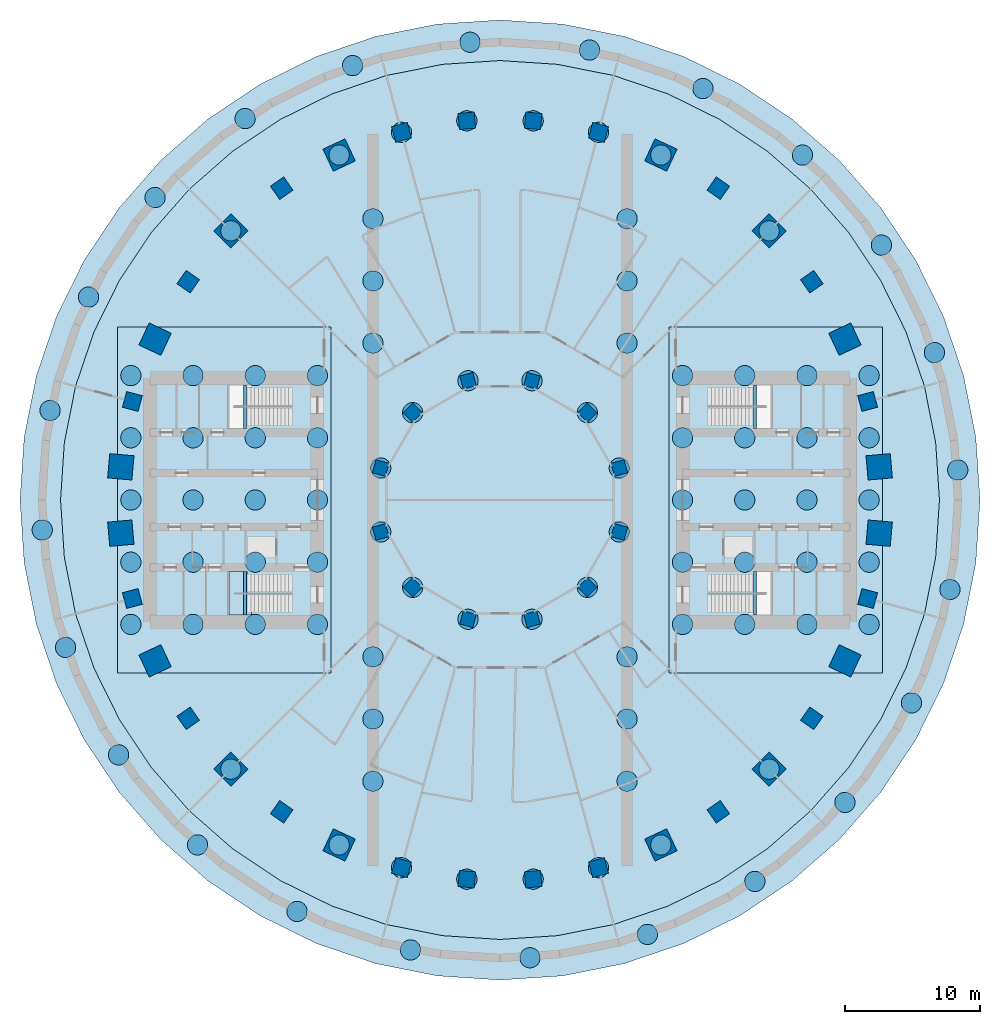
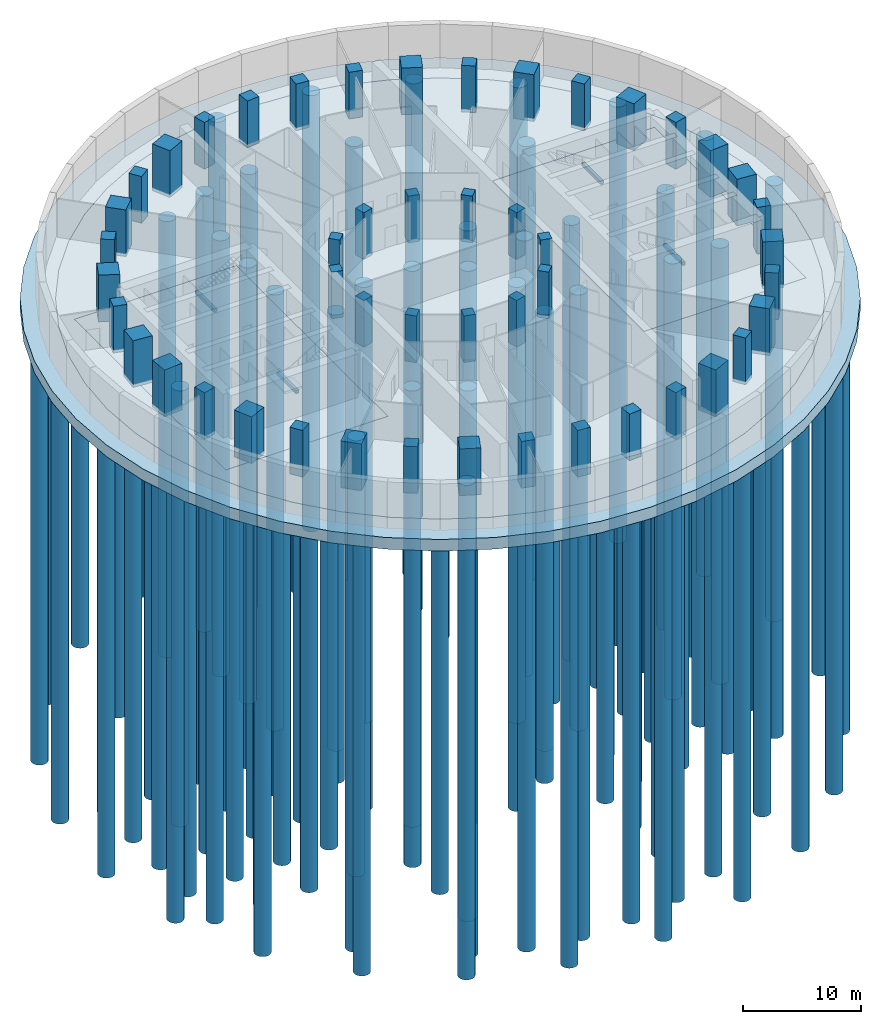
# One storey, part 1 of 10: 104 piles, 48 columns, 4 beams, 4 footings, 1 slab, 1 element without a shape of its own.
"""IFC4 building model written with IfcOpenShell, lengths in metres."""

from ifc_helpers import new_model, si_unit, direction, frame, origin, origin_2d, place, context, subcontext, project, spatial, polyline, rectangle, circle, outline, extrude, material, layer, layer_set, material_profile, profile_set, type_object, element, aggregate, save


model = new_model("IFC4")

# Units and contexts
model_context = context("Model", 3, precision=1e-05, world=origin(), true_north=direction((0.0, 1.0)))
body_context = subcontext(model_context, "Body", "Model", "MODEL_VIEW")
ifc_project = project(units=[si_unit("LENGTHUNIT", "METRE"), si_unit("AREAUNIT", "SQUARE_METRE"), si_unit("VOLUMEUNIT", "CUBIC_METRE"), si_unit("PLANEANGLEUNIT", "RADIAN"), si_unit("MASSUNIT", "GRAM", prefix="KILO")], contexts=[model_context])

# Site, building, storey
site_placement = place(None, origin())
site = spatial("IfcSite", under=ifc_project, at=site_placement, CompositionType="ELEMENT")
building_placement = place(site_placement, origin())
building = spatial("IfcBuilding", under=site, at=building_placement, Name="Saqina Gate Tower", CompositionType="ELEMENT")
storey_placement = place(building_placement, frame((0.0, 0.0, -9.0)))
storey = spatial("IfcBuildingStorey", under=building, at=storey_placement, Name="B2", CompositionType="ELEMENT", Elevation=-9.0)

# Piles
ifc_material_1 = material(Name="Concrete C40/50", Category="concrete")
ifc_material_profile_1 = material_profile(ifc_material_1, circle(Radius=0.75, at=origin_2d()), Name="RC D1500")
ifc_profile_set_1 = profile_set([ifc_material_profile_1], Name="Concrete C40/50")
pile_type = type_object("IfcPileType", Name="STR-BORED PILE-D1500", PredefinedType="BORED", material=ifc_profile_set_1)
for number, where, z_axis, x_axis, name in (
    (1, (13.5, -9.199951171875, -4.14990234375), (0.0, 0.0, -1.0), (1.0, 0.0, 0.0), "BORED PILE 001"),
    (2, (13.5, -4.60009765625, -4.14990234375), (0.0, 0.0, -1.0), (1.0, 0.0, 0.0), "BORED PILE 002"),
    (3, (13.5, 0.0, -4.14990234375), (0.0, 0.0, -1.0), (1.0, 0.0, 0.0), "BORED PILE 003"),
    (4, (13.5, 4.60009765625, -4.14990234375), (0.0, 0.0, -1.0), (1.0, 0.0, 0.0), "BORED PILE 004"),
    (5, (13.5, 9.199951171875, -4.14990234375), (0.0, 0.0, -1.0), (1.0, 0.0, 0.0), "BORED PILE 005"),
    (6, (18.10009765625, -9.199951171875, -4.14990234375), (0.0, 0.0, -1.0), (1.0, 0.0, 0.0), "BORED PILE 006"),
    (7, (18.10009765625, -4.60009765625, -4.14990234375), (0.0, 0.0, -1.0), (1.0, 0.0, 0.0), "BORED PILE 007"),
    (8, (18.10009765625, 0.0, -4.14990234375), (0.0, 0.0, -1.0), (1.0, 0.0, 0.0), "BORED PILE 008"),
    (9, (18.10009765625, 4.60009765625, -4.14990234375), (0.0, 0.0, -1.0), (1.0, 0.0, 0.0), "BORED PILE 009"),
    (10, (18.10009765625, 9.199951171875, -4.14990234375), (0.0, 0.0, -1.0), (1.0, 0.0, 0.0), "BORED PILE 010"),
    (11, (22.699951171875, -9.199951171875, -4.14990234375), (0.0, 0.0, -1.0), (1.0, 0.0, 0.0), "BORED PILE 011"),
    (12, (22.699951171875, -4.60009765625, -4.14990234375), (0.0, 0.0, -1.0), (1.0, 0.0, 0.0), "BORED PILE 012"),
    (13, (22.699951171875, 0.0, -4.14990234375), (0.0, 0.0, -1.0), (1.0, 0.0, 0.0), "BORED PILE 013"),
    (14, (22.699951171875, 4.60009765625, -4.14990234375), (0.0, 0.0, -1.0), (1.0, 0.0, 0.0), "BORED PILE 014"),
    (15, (22.699951171875, 9.199951171875, -4.14990234375), (0.0, 0.0, -1.0), (1.0, 0.0, 0.0), "BORED PILE 015"),
    (16, (27.300048828125, -9.199951171875, -4.14990234375), (0.0, 0.0, -1.0), (1.0, 0.0, 0.0), "BORED PILE 016"),
    (17, (27.300048828125, -4.60009765625, -4.14990234375), (0.0, 0.0, -1.0), (1.0, 0.0, 0.0), "BORED PILE 017"),
    (18, (27.300048828125, 0.0, -4.14990234375), (0.0, 0.0, -1.0), (1.0, 0.0, 0.0), "BORED PILE 018"),
    (19, (27.300048828125, 4.60009765625, -4.14990234375), (0.0, 0.0, -1.0), (1.0, 0.0, 0.0), "BORED PILE 019"),
    (20, (27.300048828125, 9.199951171875, -4.14990234375), (0.0, 0.0, -1.0), (1.0, 0.0, 0.0), "BORED PILE 020"),
    (21, (-13.5, -9.199951171875, -4.14990234375), (0.0, 0.0, -1.0), (1.0, 0.0, 0.0), "BORED PILE 021"),
    (22, (-13.5, -4.60009765625, -4.14990234375), (0.0, 0.0, -1.0), (1.0, 0.0, 0.0), "BORED PILE 022"),
    (23, (-13.5, 0.0, -4.14990234375), (0.0, 0.0, -1.0), (1.0, 0.0, 0.0), "BORED PILE 023"),
    (24, (-13.5, 4.60009765625, -4.14990234375), (0.0, 0.0, -1.0), (1.0, 0.0, 0.0), "BORED PILE 024"),
    (25, (-13.5, 9.199951171875, -4.14990234375), (0.0, 0.0, -1.0), (1.0, 0.0, 0.0), "BORED PILE 025"),
    (26, (-18.10009765625, -9.199951171875, -4.14990234375), (0.0, 0.0, -1.0), (1.0, 0.0, 0.0), "BORED PILE 026"),
    (27, (-18.10009765625, -4.60009765625, -4.14990234375), (0.0, 0.0, -1.0), (1.0, 0.0, 0.0), "BORED PILE 027"),
    (28, (-18.10009765625, 0.0, -4.14990234375), (0.0, 0.0, -1.0), (1.0, 0.0, 0.0), "BORED PILE 028"),
    (29, (-18.10009765625, 4.60009765625, -4.14990234375), (0.0, 0.0, -1.0), (1.0, 0.0, 0.0), "BORED PILE 029"),
    (30, (-18.10009765625, 9.199951171875, -4.14990234375), (0.0, 0.0, -1.0), (1.0, 0.0, 0.0), "BORED PILE 030"),
    (31, (-22.699951171875, -9.199951171875, -4.14990234375), (0.0, 0.0, -1.0), (1.0, 0.0, 0.0), "BORED PILE 031"),
    (32, (-22.699951171875, -4.60009765625, -4.14990234375), (0.0, 0.0, -1.0), (1.0, 0.0, 0.0), "BORED PILE 032"),
    (33, (-22.699951171875, 0.0, -4.14990234375), (0.0, 0.0, -1.0), (1.0, 0.0, 0.0), "BORED PILE 033"),
    (34, (-22.699951171875, 4.60009765625, -4.14990234375), (0.0, 0.0, -1.0), (1.0, 0.0, 0.0), "BORED PILE 034"),
    (35, (-22.699951171875, 9.199951171875, -4.14990234375), (0.0, 0.0, -1.0), (1.0, 0.0, 0.0), "BORED PILE 035"),
    (36, (-27.300048828125, -9.199951171875, -4.14990234375), (0.0, 0.0, -1.0), (1.0, 0.0, 0.0), "BORED PILE 036"),
    (37, (-27.300048828125, -4.60009765625, -4.14990234375), (0.0, 0.0, -1.0), (1.0, 0.0, 0.0), "BORED PILE 037"),
    (38, (-27.300048828125, 0.0, -4.14990234375), (0.0, 0.0, -1.0), (1.0, 0.0, 0.0), "BORED PILE 038"),
    (39, (-27.300048828125, 4.60009765625, -4.14990234375), (0.0, 0.0, -1.0), (1.0, 0.0, 0.0), "BORED PILE 039"),
    (40, (-27.300048828125, 9.199951171875, -4.14990234375), (0.0, 0.0, -1.0), (1.0, 0.0, 0.0), "BORED PILE 040"),
    (41, (19.905029296875, 19.905029296875, -3.14990234375), (0.0, 0.0, -1.0), (1.0, 0.0, 0.0), "BORED PILE 041"),
    (42, (11.896728515625, 25.512451171875, -3.14990234375), (0.0, 0.0, -1.0), (1.0, 0.0, 0.0), "BORED PILE 042"),
    (43, (7.28564453125, 27.19091796875, -3.14990234375), (0.0, 0.0, -1.0), (1.0, 0.0, 0.0), "BORED PILE 043"),
    (44, (2.453369140625, 28.04296875, -3.14990234375), (0.0, 0.0, -1.0), (1.0, 0.0, 0.0), "BORED PILE 044"),
    (45, (-2.453369140625, 28.04296875, -3.14990234375), (0.0, 0.0, -1.0), (1.0, 0.0, 0.0), "BORED PILE 045"),
    (46, (-7.28564453125, 27.19091796875, -3.14990234375), (0.0, 0.0, -1.0), (1.0, 0.0, 0.0), "BORED PILE 046"),
    (47, (-11.896728515625, 25.512451171875, -3.14990234375), (0.0, 0.0, -1.0), (1.0, 0.0, 0.0), "BORED PILE 047"),
    (48, (-19.905029296875, 19.905029296875, -3.14990234375), (0.0, 0.0, -1.0), (1.0, 0.0, 0.0), "BORED PILE 048"),
    (49, (-19.905029296875, -19.905029296875, -3.14990234375), (0.0, 0.0, -1.0), (1.0, 0.0, 0.0), "BORED PILE 049"),
    (50, (-11.896728515625, -25.512451171875, -3.14990234375), (0.0, 0.0, -1.0), (1.0, 0.0, 0.0), "BORED PILE 050"),
    (51, (-7.28564453125, -27.19091796875, -3.14990234375), (0.0, 0.0, -1.0), (1.0, 0.0, 0.0), "BORED PILE 051"),
    (52, (-2.453369140625, -28.04296875, -3.14990234375), (0.0, 0.0, -1.0), (1.0, 0.0, 0.0), "BORED PILE 052"),
    (53, (2.453369140625, -28.04296875, -3.14990234375), (0.0, 0.0, -1.0), (1.0, 0.0, 0.0), "BORED PILE 053"),
    (54, (7.28564453125, -27.19091796875, -3.14990234375), (0.0, 0.0, -1.0), (1.0, 0.0, 0.0), "BORED PILE 054"),
    (55, (11.896728515625, -25.512451171875, -3.14990234375), (0.0, 0.0, -1.0), (1.0, 0.0, 0.0), "BORED PILE 055"),
    (56, (19.905029296875, -19.905029296875, -3.14990234375), (0.0, 0.0, -1.0), (1.0, 0.0, 0.0), "BORED PILE 056"),
    (57, (8.821044921875, 2.363525390625, -3.14990234375), (0.0, 0.0, -1.0), (1.0, 0.0, 0.0), "BORED PILE 057"),
    (58, (6.45751953125, 6.45751953125, -3.14990234375), (0.0, 0.0, -1.0), (1.0, 0.0, 0.0), "BORED PILE 058"),
    (59, (2.363525390625, 8.821044921875, -3.14990234375), (0.0, 0.0, -1.0), (1.0, 0.0, 0.0), "BORED PILE 059"),
    (60, (-2.363525390625, 8.821044921875, -3.14990234375), (0.0, 0.0, -1.0), (1.0, 0.0, 0.0), "BORED PILE 060"),
    (61, (-6.45751953125, 6.45751953125, -3.14990234375), (0.0, 0.0, -1.0), (1.0, 0.0, 0.0), "BORED PILE 061"),
    (62, (-8.821044921875, 2.363525390625, -3.14990234375), (0.0, 0.0, -1.0), (1.0, 0.0, 0.0), "BORED PILE 062"),
    (63, (-8.821044921875, -2.363525390625, -3.14990234375), (0.0, 0.0, -1.0), (1.0, 0.0, 0.0), "BORED PILE 063"),
    (64, (-6.45751953125, -6.45751953125, -3.14990234375), (0.0, 0.0, -1.0), (1.0, 0.0, 0.0), "BORED PILE 064"),
    (65, (-2.363525390625, -8.821044921875, -3.14990234375), (0.0, 0.0, -1.0), (1.0, 0.0, 0.0), "BORED PILE 065"),
    (66, (2.363525390625, -8.821044921875, -3.14990234375), (0.0, 0.0, -1.0), (1.0, 0.0, 0.0), "BORED PILE 066"),
    (67, (6.45751953125, -6.45751953125, -3.14990234375), (0.0, 0.0, -1.0), (1.0, 0.0, 0.0), "BORED PILE 067"),
    (68, (8.821044921875, -2.363525390625, -3.14990234375), (0.0, 0.0, -1.0), (1.0, 0.0, 0.0), "BORED PILE 068"),
    (69, (9.39990234375, 11.60009765625, -3.14990234375), (0.0, 0.0, -1.0), (1.0, 0.0, 0.0), "BORED PILE 069"),
    (70, (9.39990234375, -11.60009765625, -3.14990234375), (0.0, 0.0, -1.0), (1.0, 0.0, 0.0), "BORED PILE 070"),
    (71, (9.39990234375, 16.199951171875, -3.14990234375), (0.0, 0.0, -1.0), (1.0, 0.0, 0.0), "BORED PILE 071"),
    (72, (9.39990234375, -16.199951171875, -3.14990234375), (0.0, 0.0, -1.0), (1.0, 0.0, 0.0), "BORED PILE 072"),
    (73, (9.39990234375, 20.800048828125, -3.14990234375), (0.0, 0.0, -1.0), (1.0, 0.0, 0.0), "BORED PILE 073"),
    (74, (9.39990234375, -20.800048828125, -3.14990234375), (0.0, 0.0, -1.0), (1.0, 0.0, 0.0), "BORED PILE 074"),
    (75, (-9.39990234375, 11.60009765625, -3.14990234375), (0.0, 0.0, -1.0), (1.0, 0.0, 0.0), "BORED PILE 075"),
    (76, (-9.39990234375, -11.60009765625, -3.14990234375), (0.0, 0.0, -1.0), (1.0, 0.0, 0.0), "BORED PILE 076"),
    (77, (-9.39990234375, 16.199951171875, -3.14990234375), (0.0, 0.0, -1.0), (1.0, 0.0, 0.0), "BORED PILE 077"),
    (78, (-9.39990234375, -16.199951171875, -3.14990234375), (0.0, 0.0, -1.0), (1.0, 0.0, 0.0), "BORED PILE 078"),
    (79, (-9.39990234375, 20.800048828125, -3.14990234375), (0.0, 0.0, -1.0), (1.0, 0.0, 0.0), "BORED PILE 079"),
    (80, (-9.39990234375, -20.800048828125, -3.14990234375), (0.0, 0.0, -1.0), (1.0, 0.0, 0.0), "BORED PILE 080"),
    (81, (33.8544921875, 2.218994140625, -1.35009765625), (0.0, 0.0, -1.0), (1.0, 0.0, 0.0), "BORED PILE 081"),
    (82, (32.126708984375, 10.905517578125, -1.35009765625), (0.0, 0.0, -1.0), (1.0, 0.0, 0.0), "BORED PILE 082"),
    (83, (28.20947265625, 18.848876953125, -1.35009765625), (0.0, 0.0, -1.0), (1.0, 0.0, 0.0), "BORED PILE 083"),
    (84, (22.369873046875, 25.5078125, -1.35009765625), (0.0, 0.0, -1.0), (1.0, 0.0, 0.0), "BORED PILE 084"),
    (85, (15.005615234375, 30.428466796875, -1.35009765625), (0.0, 0.0, -1.0), (1.0, 0.0, 0.0), "BORED PILE 085"),
    (86, (6.618896484375, 33.275390625, -1.35009765625), (0.0, 0.0, -1.0), (1.0, 0.0, 0.0), "BORED PILE 086"),
    (87, (-2.218994140625, 33.8544921875, -1.35009765625), (0.0, 0.0, -1.0), (1.0, 0.0, 0.0), "BORED PILE 087"),
    (88, (-10.905517578125, 32.126708984375, -1.35009765625), (0.0, 0.0, -1.0), (1.0, 0.0, 0.0), "BORED PILE 088"),
    (89, (-18.848876953125, 28.20947265625, -1.35009765625), (0.0, 0.0, -1.0), (1.0, 0.0, 0.0), "BORED PILE 089"),
    (90, (-25.5078125, 22.369873046875, -1.35009765625), (0.0, 0.0, -1.0), (1.0, 0.0, 0.0), "BORED PILE 090"),
    (91, (-30.428466796875, 15.005615234375, -1.35009765625), (0.0, 0.0, -1.0), (1.0, 0.0, 0.0), "BORED PILE 091"),
    (92, (-33.275390625, 6.618896484375, -1.35009765625), (0.0, 0.0, -1.0), (1.0, 0.0, 0.0), "BORED PILE 092"),
    (93, (-33.8544921875, -2.218994140625, -1.35009765625), (0.0, 0.0, -1.0), (1.0, 0.0, 0.0), "BORED PILE 093"),
    (94, (-32.126708984375, -10.905517578125, -1.35009765625), (0.0, 0.0, -1.0), (1.0, 0.0, 0.0), "BORED PILE 094"),
    (95, (-28.20947265625, -18.848876953125, -1.35009765625), (0.0, 0.0, -1.0), (1.0, 0.0, 0.0), "BORED PILE 095"),
    (96, (-22.369873046875, -25.5078125, -1.35009765625), (0.0, 0.0, -1.0), (1.0, 0.0, 0.0), "BORED PILE 096"),
    (97, (-15.005615234375, -30.428466796875, -1.35009765625), (0.0, 0.0, -1.0), (1.0, 0.0, 0.0), "BORED PILE 097"),
    (98, (-6.618896484375, -33.275390625, -1.35009765625), (0.0, 0.0, -1.0), (1.0, 0.0, 0.0), "BORED PILE 098"),
    (99, (2.218994140625, -33.8544921875, -1.35009765625), (0.0, 0.0, -1.0), (1.0, 0.0, 0.0), "BORED PILE 099"),
    (100, (10.905517578125, -32.126708984375, -1.35009765625), (0.0, 0.0, -1.0), (1.0, 0.0, 0.0), "BORED PILE 100"),
    (101, (18.848876953125, -28.20947265625, -1.35009765625), (0.0, 0.0, -1.0), (1.0, 0.0, 0.0), "BORED PILE 101"),
    (102, (25.5078125, -22.369873046875, -1.35009765625), (0.0, 0.0, -1.0), (1.0, 0.0, 0.0), "BORED PILE 102"),
    (103, (30.428466796875, -15.005615234375, -1.35009765625), (0.0, 0.0, -1.0), (1.0, 0.0, 0.0), "BORED PILE 103"),
    (104, (33.275390625, -6.618896484375, -1.35009765625), (0.0, 0.0, -1.0), (1.0, 0.0, 0.0), "BORED PILE 104"),
):
    element("IfcPile", number, at=place(storey_placement, frame(where, z_axis=z_axis, x_axis=x_axis)), inside=storey, type_object=pile_type, Name=name, PredefinedType="BORED", context=body_context, shape_type="SweptSolid", body=[
        extrude(circle(Radius=0.75, at=origin_2d()), origin(), (0.0, 0.0, 1.0), 45.0),
    ])

# Footings
ifc_material_2 = material(Name="Concrete C40/50", Category="concrete")
ifc_layer_1 = layer(ifc_material_2, 3.0)
ifc_layer_set_1 = layer_set([ifc_layer_1], Name="Concrete C40/50")
footing_type_1 = type_object("IfcFootingType", Name="STR-RAFT-3000", PredefinedType="PAD_FOOTING", material=ifc_layer_set_1)
footing_1_placement = place(storey_placement, frame((0.0, 0.0, -3.300048828125)))
element("IfcFooting", 105, at=footing_1_placement, inside=storey, type_object=footing_type_1, Name="RAFT", PredefinedType="PAD_FOOTING", context=body_context, shape_type="SweptSolid", body=[
    extrude(outline(polyline([(32.221923828125, -4.2421875), (32.5, 0.0), (32.221923828125, 4.2421875), (31.392578125, 8.41162109375), (30.026123046875, 12.437255859375), (28.145751953125, 16.25), (25.783935546875, 19.78466796875), (22.98095703125, 22.98095703125), (19.78466796875, 25.783935546875), (16.25, 28.145751953125), (12.437255859375, 30.026123046875), (8.41162109375, 31.392578125), (4.2421875, 32.221923828125), (0.0, 32.5), (-4.2421875, 32.221923828125), (-8.41162109375, 31.392578125), (-12.437255859375, 30.026123046875), (-16.25, 28.145751953125), (-19.78466796875, 25.783935546875), (-22.98095703125, 22.98095703125), (-25.783935546875, 19.78466796875), (-28.145751953125, 16.25), (-30.026123046875, 12.437255859375), (-31.392578125, 8.41162109375), (-32.221923828125, 4.2421875), (-32.5, 0.0), (-32.221923828125, -4.2421875), (-31.392578125, -8.41162109375), (-30.026123046875, -12.437255859375), (-28.145751953125, -16.25), (-25.783935546875, -19.78466796875), (-22.98095703125, -22.98095703125), (-19.78466796875, -25.783935546875), (-16.25, -28.145751953125), (-12.437255859375, -30.026123046875), (-8.41162109375, -31.392578125), (-4.2421875, -32.221923828125), (0.0, -32.5), (4.2421875, -32.221923828125), (8.41162109375, -31.392578125), (12.437255859375, -30.026123046875), (16.25, -28.145751953125), (19.78466796875, -25.783935546875), (22.98095703125, -22.98095703125), (25.783935546875, -19.78466796875), (28.145751953125, -16.25), (30.026123046875, -12.437255859375), (31.392578125, -8.41162109375), (32.221923828125, -4.2421875)]), holes=[polyline([(-12.5, -12.800048828125), (-28.300048828125, -12.800048828125), (-28.300048828125, 12.800048828125), (-12.5, 12.800048828125), (-12.5, -12.800048828125)]), polyline([(28.300048828125, -12.800048828125), (12.5, -12.800048828125), (12.5, 12.800048828125), (28.300048828125, 12.800048828125), (28.300048828125, -12.800048828125)])]), origin(), (0.0, 0.0, 1.0), 3.0),
])
ifc_material_3 = material(Name="Concrete C40/50", Category="concrete")
ifc_layer_2 = layer(ifc_material_3, 4.0)
ifc_layer_set_2 = layer_set([ifc_layer_2], Name="Concrete C40/50")
footing_type_2 = type_object("IfcFootingType", Name="STR-RAFT-CORE-4000", PredefinedType="PAD_FOOTING", material=ifc_layer_set_2)
footing_2_placement = place(storey_placement, frame((0.0, 0.0, -4.300048828125)))
element("IfcFooting", 106, at=footing_2_placement, inside=storey, type_object=footing_type_2, Name="RAFT UNDER CORE E", PredefinedType="PAD_FOOTING", context=body_context, shape_type="SweptSolid", body=[
    extrude(outline(polyline([(28.300048828125, -12.800048828125), (28.300048828125, 12.800048828125), (12.5, 12.800048828125), (12.5, -12.800048828125), (28.300048828125, -12.800048828125)])), origin(), (0.0, 0.0, 1.0), 4.0),
])
footing_3_placement = place(storey_placement, frame((0.0, 0.0, -4.300048828125)))
element("IfcFooting", 107, at=footing_3_placement, inside=storey, type_object=footing_type_2, Name="RAFT UNDER CORE W", PredefinedType="PAD_FOOTING", context=body_context, shape_type="SweptSolid", body=[
    extrude(outline(polyline([(-12.5, -12.800048828125), (-12.5, 12.800048828125), (-28.300048828125, 12.800048828125), (-28.300048828125, -12.800048828125), (-12.5, -12.800048828125)])), origin(), (0.0, 0.0, 1.0), 4.0),
])
ifc_material_4 = material(Name="Concrete C40/50", Category="concrete")
ifc_layer_3 = layer(ifc_material_4, 1.199951171875)
ifc_layer_set_3 = layer_set([ifc_layer_3], Name="Concrete C40/50")
footing_type_3 = type_object("IfcFootingType", Name="STR-STRIP-1200", PredefinedType="STRIP_FOOTING", material=ifc_layer_set_3)
footing_4_placement = place(storey_placement, frame((0.0, 0.0, -1.5)))
element("IfcFooting", 108, at=footing_4_placement, inside=storey, type_object=footing_type_3, Name="STRIP FOOTING", PredefinedType="STRIP_FOOTING", context=body_context, shape_type="SweptSolid", body=[
    extrude(outline(polyline([(35.5, 0.0), (35.1962890625, 4.6337890625), (34.290283203125, 9.18798828125), (32.797607421875, 13.585205078125), (30.743896484375, 17.75), (28.1640625, 21.611083984375), (25.102294921875, 25.102294921875), (21.611083984375, 28.1640625), (17.75, 30.743896484375), (13.585205078125, 32.797607421875), (9.18798828125, 34.290283203125), (4.6337890625, 35.1962890625), (0.0, 35.5), (-4.6337890625, 35.1962890625), (-9.18798828125, 34.290283203125), (-13.585205078125, 32.797607421875), (-17.75, 30.743896484375), (-21.611083984375, 28.1640625), (-25.102294921875, 25.102294921875), (-28.1640625, 21.611083984375), (-30.743896484375, 17.75), (-32.797607421875, 13.585205078125), (-34.290283203125, 9.18798828125), (-35.1962890625, 4.6337890625), (-35.5, 0.0), (-35.1962890625, -4.6337890625), (-34.290283203125, -9.18798828125), (-32.797607421875, -13.585205078125), (-30.743896484375, -17.75), (-28.1640625, -21.611083984375), (-25.102294921875, -25.102294921875), (-21.611083984375, -28.1640625), (-17.75, -30.743896484375), (-13.585205078125, -32.797607421875), (-9.18798828125, -34.290283203125), (-4.6337890625, -35.1962890625), (0.0, -35.5), (4.6337890625, -35.1962890625), (9.18798828125, -34.290283203125), (13.585205078125, -32.797607421875), (17.75, -30.743896484375), (21.611083984375, -28.1640625), (25.102294921875, -25.102294921875), (28.1640625, -21.611083984375), (30.743896484375, -17.75), (32.797607421875, -13.585205078125), (34.290283203125, -9.18798828125), (35.1962890625, -4.6337890625), (35.5, 0.0)]), holes=[polyline([(32.5, 0.0), (32.221923828125, -4.2421875), (31.392578125, -8.41162109375), (30.026123046875, -12.437255859375), (28.145751953125, -16.25), (25.783935546875, -19.78466796875), (22.98095703125, -22.98095703125), (19.78466796875, -25.783935546875), (16.25, -28.145751953125), (12.437255859375, -30.026123046875), (8.41162109375, -31.392578125), (4.2421875, -32.221923828125), (0.0, -32.5), (-4.2421875, -32.221923828125), (-8.41162109375, -31.392578125), (-12.437255859375, -30.026123046875), (-16.25, -28.145751953125), (-19.78466796875, -25.783935546875), (-22.98095703125, -22.98095703125), (-25.783935546875, -19.78466796875), (-28.145751953125, -16.25), (-30.026123046875, -12.437255859375), (-31.392578125, -8.41162109375), (-32.221923828125, -4.2421875), (-32.5, 0.0), (-32.221923828125, 4.2421875), (-31.392578125, 8.41162109375), (-30.026123046875, 12.437255859375), (-28.145751953125, 16.25), (-25.783935546875, 19.78466796875), (-22.98095703125, 22.98095703125), (-19.78466796875, 25.783935546875), (-16.25, 28.145751953125), (-12.437255859375, 30.026123046875), (-8.41162109375, 31.392578125), (-4.2421875, 32.221923828125), (0.0, 32.5), (4.2421875, 32.221923828125), (8.41162109375, 31.392578125), (12.437255859375, 30.026123046875), (16.25, 28.145751953125), (19.78466796875, 25.783935546875), (22.98095703125, 22.98095703125), (25.783935546875, 19.78466796875), (28.145751953125, 16.25), (30.026123046875, 12.437255859375), (31.392578125, 8.41162109375), (32.221923828125, 4.2421875), (32.5, 0.0)])]), origin(), (0.0, 0.0, 1.0), 1.199951171875),
])

# Columns
ifc_material_5 = material(Name="Concrete C70/85", Category="concrete")
ifc_material_profile_2 = material_profile(ifc_material_5, rectangle(XDim=1.0, YDim=1.0, at=origin_2d()), Name="RC 1000x1000")
ifc_profile_set_2 = profile_set([ifc_material_profile_2], Name="Concrete C70/85")
column_type_1 = type_object("IfcColumnType", Name="STR-COL-IN-P", PredefinedType="COLUMN", material=ifc_profile_set_2)
for number, where, z_axis, x_axis, name in (
    (109, (8.821044921875, 2.363525390625, -0.300048828125), (0.0, 0.0, 1.0), (0.965925826289, 0.258819045103, 0.0), "B2-ICL01"),
    (110, (6.45751953125, 6.45751953125, -0.300048828125), (0.0, 0.0, 1.0), (0.707106781187, 0.707106781187, 0.0), "B2-ICL02"),
    (111, (2.363525390625, 8.821044921875, -0.300048828125), (0.0, 0.0, 1.0), (0.258819045103, 0.965925826289, 0.0), "B2-ICL03"),
    (112, (-2.363525390625, 8.821044921875, -0.300048828125), (0.0, 0.0, 1.0), (-0.258819045103, 0.965925826289, 0.0), "B2-ICL04"),
    (113, (-6.45751953125, 6.45751953125, -0.300048828125), (0.0, 0.0, 1.0), (-0.707106781187, 0.707106781187, 0.0), "B2-ICL05"),
    (114, (-8.821044921875, 2.363525390625, -0.300048828125), (0.0, 0.0, 1.0), (-0.965925826289, 0.258819045103, 0.0), "B2-ICL06"),
    (115, (-8.821044921875, -2.363525390625, -0.300048828125), (0.0, 0.0, 1.0), (-0.965925826289, -0.258819045103, 0.0), "B2-ICL07"),
    (116, (-6.45751953125, -6.45751953125, -0.300048828125), (0.0, 0.0, 1.0), (-0.707106781187, -0.707106781187, 0.0), "B2-ICL08"),
    (117, (-2.363525390625, -8.821044921875, -0.300048828125), (0.0, 0.0, 1.0), (-0.258819045103, -0.965925826289, 0.0), "B2-ICL09"),
    (118, (2.363525390625, -8.821044921875, -0.300048828125), (0.0, 0.0, 1.0), (0.258819045103, -0.965925826289, 0.0), "B2-ICL10"),
    (119, (6.45751953125, -6.45751953125, -0.300048828125), (0.0, 0.0, 1.0), (0.707106781187, -0.707106781187, 0.0), "B2-ICL11"),
    (120, (8.821044921875, -2.363525390625, -0.300048828125), (0.0, 0.0, 1.0), (0.965925826289, -0.258819045103, 0.0), "B2-ICL12"),
):
    element("IfcColumn", number, at=place(storey_placement, frame(where, z_axis=z_axis, x_axis=x_axis)), inside=storey, type_object=column_type_1, Name=name, PredefinedType="COLUMN", context=body_context, shape_type="SweptSolid", body=[
        extrude(rectangle(XDim=1.0, YDim=1.0, at=origin_2d()), origin(), (0.0, 0.0, 1.0), 4.800048828125),
    ])
ifc_material_6 = material(Name="Concrete C70/85", Category="concrete")
ifc_material_profile_3 = material_profile(ifc_material_6, rectangle(XDim=1.800048828125, YDim=1.800048828125, at=origin_2d()), Name="RC 1800x1800")
ifc_profile_set_3 = profile_set([ifc_material_profile_3], Name="Concrete C70/85")
column_type_2 = type_object("IfcColumnType", Name="STR-COL-MEGA-P", PredefinedType="COLUMN", material=ifc_profile_set_3)
for number, where, z_axis, x_axis, name in (
    (121, (28.04296875, 2.453369140625, -0.300048828125), (0.0, 0.0, 1.0), (0.996194698092, 0.087155742748, 0.0), "B2-COL01"),
    (122, (25.512451171875, 11.896728515625, -0.300048828125), (0.0, 0.0, 1.0), (0.906307787037, 0.422618261741, 0.0), "B2-COL03"),
    (123, (19.905029296875, 19.905029296875, -0.300048828125), (0.0, 0.0, 1.0), (0.707106781187, 0.707106781187, 0.0), "B2-COL05"),
    (124, (11.896728515625, 25.512451171875, -0.300048828125), (0.0, 0.0, 1.0), (0.422618261741, 0.906307787037, 0.0), "B2-COL07"),
    (125, (-11.896728515625, 25.512451171875, -0.300048828125), (0.0, 0.0, 1.0), (-0.422618261741, 0.906307787037, 0.0), "B2-COL12"),
    (126, (-19.905029296875, 19.905029296875, -0.300048828125), (0.0, 0.0, 1.0), (-0.707106781187, 0.707106781187, 0.0), "B2-COL14"),
    (127, (-25.512451171875, 11.896728515625, -0.300048828125), (0.0, 0.0, 1.0), (-0.906307787037, 0.422618261741, 0.0), "B2-COL16"),
    (128, (-28.04296875, 2.453369140625, -0.300048828125), (0.0, 0.0, 1.0), (-0.996194698092, 0.087155742748, 0.0), "B2-COL18"),
    (129, (-28.04296875, -2.453369140625, -0.300048828125), (0.0, 0.0, 1.0), (-0.996194698092, -0.087155742748, 0.0), "B2-COL19"),
    (130, (-25.512451171875, -11.896728515625, -0.300048828125), (0.0, 0.0, 1.0), (-0.906307787037, -0.422618261741, 0.0), "B2-COL21"),
    (131, (-19.905029296875, -19.905029296875, -0.300048828125), (0.0, 0.0, 1.0), (-0.707106781187, -0.707106781187, 0.0), "B2-COL23"),
    (132, (-11.896728515625, -25.512451171875, -0.300048828125), (0.0, 0.0, 1.0), (-0.422618261741, -0.906307787037, 0.0), "B2-COL25"),
    (133, (11.896728515625, -25.512451171875, -0.300048828125), (0.0, 0.0, 1.0), (0.422618261741, -0.906307787037, 0.0), "B2-COL30"),
    (134, (19.905029296875, -19.905029296875, -0.300048828125), (0.0, 0.0, 1.0), (0.707106781187, -0.707106781187, 0.0), "B2-COL32"),
    (135, (25.512451171875, -11.896728515625, -0.300048828125), (0.0, 0.0, 1.0), (0.906307787037, -0.422618261741, 0.0), "B2-COL34"),
    (136, (28.04296875, -2.453369140625, -0.300048828125), (0.0, 0.0, 1.0), (0.996194698092, -0.087155742748, 0.0), "B2-COL36"),
):
    element("IfcColumn", number, at=place(storey_placement, frame(where, z_axis=z_axis, x_axis=x_axis)), inside=storey, type_object=column_type_2, Name=name, PredefinedType="COLUMN", context=body_context, shape_type="SweptSolid", body=[
        extrude(rectangle(XDim=1.800048828125, YDim=1.800048828125, at=origin_2d()), origin(), (0.0, 0.0, 1.0), 4.800048828125),
    ])
ifc_material_7 = material(Name="Concrete C70/85", Category="concrete")
ifc_material_profile_4 = material_profile(ifc_material_7, rectangle(XDim=1.199951171875, YDim=1.199951171875, at=origin_2d()), Name="RC 1200x1200")
ifc_profile_set_4 = profile_set([ifc_material_profile_4], Name="Concrete C70/85")
column_type_3 = type_object("IfcColumnType", Name="STR-COL-OUT-P", PredefinedType="COLUMN", material=ifc_profile_set_4)
for number, where, z_axis, x_axis, name in (
    (137, (27.19091796875, 7.28564453125, -0.300048828125), (0.0, 0.0, 1.0), (0.965925826289, 0.258819045103, 0.0), "B2-COL02"),
    (138, (23.05908203125, 16.146240234375, -0.300048828125), (0.0, 0.0, 1.0), (0.819152044289, 0.573576436351, 0.0), "B2-COL04"),
    (139, (16.146240234375, 23.05908203125, -0.300048828125), (0.0, 0.0, 1.0), (0.573576436351, 0.819152044289, 0.0), "B2-COL06"),
    (140, (7.28564453125, 27.19091796875, -0.300048828125), (0.0, 0.0, 1.0), (0.258819045103, 0.965925826289, 0.0), "B2-COL08"),
    (141, (2.453369140625, 28.04296875, -0.300048828125), (0.0, 0.0, 1.0), (0.087155742748, 0.996194698092, 0.0), "B2-COL09"),
    (142, (-2.453369140625, 28.04296875, -0.300048828125), (0.0, 0.0, 1.0), (-0.087155742748, 0.996194698092, 0.0), "B2-COL10"),
    (143, (-7.28564453125, 27.19091796875, -0.300048828125), (0.0, 0.0, 1.0), (-0.258819045103, 0.965925826289, 0.0), "B2-COL11"),
    (144, (-16.146240234375, 23.05908203125, -0.300048828125), (0.0, 0.0, 1.0), (-0.573576436351, 0.819152044289, 0.0), "B2-COL13"),
    (145, (-23.05908203125, 16.146240234375, -0.300048828125), (0.0, 0.0, 1.0), (-0.819152044289, 0.573576436351, 0.0), "B2-COL15"),
    (146, (-27.19091796875, 7.28564453125, -0.300048828125), (0.0, 0.0, 1.0), (-0.965925826289, 0.258819045103, 0.0), "B2-COL17"),
    (147, (-27.19091796875, -7.28564453125, -0.300048828125), (0.0, 0.0, 1.0), (-0.965925826289, -0.258819045103, 0.0), "B2-COL20"),
    (148, (-23.05908203125, -16.146240234375, -0.300048828125), (0.0, 0.0, 1.0), (-0.819152044289, -0.573576436351, 0.0), "B2-COL22"),
    (149, (-16.146240234375, -23.05908203125, -0.300048828125), (0.0, 0.0, 1.0), (-0.573576436351, -0.819152044289, 0.0), "B2-COL24"),
    (150, (-7.28564453125, -27.19091796875, -0.300048828125), (0.0, 0.0, 1.0), (-0.258819045103, -0.965925826289, 0.0), "B2-COL26"),
    (151, (-2.453369140625, -28.04296875, -0.300048828125), (0.0, 0.0, 1.0), (-0.087155742748, -0.996194698092, 0.0), "B2-COL27"),
    (152, (2.453369140625, -28.04296875, -0.300048828125), (0.0, 0.0, 1.0), (0.087155742748, -0.996194698092, 0.0), "B2-COL28"),
    (153, (7.28564453125, -27.19091796875, -0.300048828125), (0.0, 0.0, 1.0), (0.258819045103, -0.965925826289, 0.0), "B2-COL29"),
    (154, (16.146240234375, -23.05908203125, -0.300048828125), (0.0, 0.0, 1.0), (0.573576436351, -0.819152044289, 0.0), "B2-COL31"),
    (155, (23.05908203125, -16.146240234375, -0.300048828125), (0.0, 0.0, 1.0), (0.819152044289, -0.573576436351, 0.0), "B2-COL33"),
    (156, (27.19091796875, -7.28564453125, -0.300048828125), (0.0, 0.0, 1.0), (0.965925826289, -0.258819045103, 0.0), "B2-COL35"),
):
    element("IfcColumn", number, at=place(storey_placement, frame(where, z_axis=z_axis, x_axis=x_axis)), inside=storey, type_object=column_type_3, Name=name, PredefinedType="COLUMN", context=body_context, shape_type="SweptSolid", body=[
        extrude(rectangle(XDim=1.199951171875, YDim=1.199951171875, at=origin_2d()), origin(), (0.0, 0.0, 1.0), 4.800048828125),
    ])

# Beams
ifc_material_8 = material(Name="Concrete C40/50", Category="concrete")
ifc_material_profile_5 = material_profile(ifc_material_8, rectangle(XDim=0.25, YDim=0.300048828125, at=origin_2d()), Name="STAIR LANDING BEAM")
ifc_profile_set_5 = profile_set([ifc_material_profile_5], Name="Concrete C40/50")
beam_type = type_object("IfcBeamType", Name="STAIR LANDING BEAM", PredefinedType="BEAM", material=ifc_profile_set_5)
for number, where, z_axis, x_axis, name in (
    (157, (18.860107421875, 5.300048828125, 1.85009765625), (0.0, 1.0, 0.0), (-1.0, 0.0, 0.0), "EXIT STAIR 1 LANDING BEAM"),
    (158, (18.860107421875, -8.5, 1.85009765625), (0.0, 1.0, 0.0), (-1.0, 0.0, 0.0), "EXIT STAIR 2 LANDING BEAM"),
    (159, (-18.860107421875, 5.300048828125, 1.85009765625), (0.0, 1.0, 0.0), (-1.0, 0.0, 0.0), "EXIT STAIR 3 LANDING BEAM"),
    (160, (-18.860107421875, -8.5, 1.85009765625), (0.0, 1.0, 0.0), (-1.0, 0.0, 0.0), "EXIT STAIR 4 LANDING BEAM"),
):
    element("IfcBeam", number, at=place(storey_placement, frame(where, z_axis=z_axis, x_axis=x_axis)), inside=storey, type_object=beam_type, Name=name, PredefinedType="BEAM", context=body_context, shape_type="SweptSolid", body=[
        extrude(rectangle(XDim=0.25, YDim=0.300048828125, at=origin_2d()), origin(), (0.0, 0.0, 1.0), 3.199951171875),
    ])

# Stair, slab
ifc_material_9 = material(Name="Concrete C40/50", Category="concrete")
stair_type = type_object("IfcStairType", Name="EXIT STAIR", PredefinedType="HALF_TURN_STAIR", material=ifc_material_9)
stair_placement = place(storey_placement, origin())
stair = element("IfcStair", 161, at=stair_placement, inside=storey, type_object=stair_type, Name="EXIT STAIR 4", PredefinedType="HALF_TURN_STAIR")
ifc_material_10 = material(Name="Concrete C40/50", Category="concrete")
ifc_layer_4 = layer(ifc_material_10, 0.25)
ifc_layer_set_4 = layer_set([ifc_layer_4], Name="Concrete C40/50")
slab_type = type_object("IfcSlabType", Name="EXIT STAIR LANDING", PredefinedType="LANDING", material=ifc_layer_set_4)
slab_placement = place(storey_placement, frame((0.0, 0.0, 2.0)))
slab = element("IfcSlab", 162, at=slab_placement, type_object=slab_type, Name="EXIT STAIR 4 LANDING 1", PredefinedType="LANDING", context=body_context, shape_type="SweptSolid", body=[
    extrude(outline(polyline([(-18.384765625, -6.89990234375), (-18.384765625, -8.5), (-18.705078125, -8.5), (-18.7099609375, -8.5), (-20.06005859375, -8.5), (-20.06005859375, -5.300048828125), (-18.705078125, -5.300048828125), (-18.705078125, -6.89990234375), (-18.384765625, -6.89990234375)])), origin(), (0.0, 0.0, 1.0), 0.25),
])
aggregate(stair, [slab])

save(model, "model.ifc")
